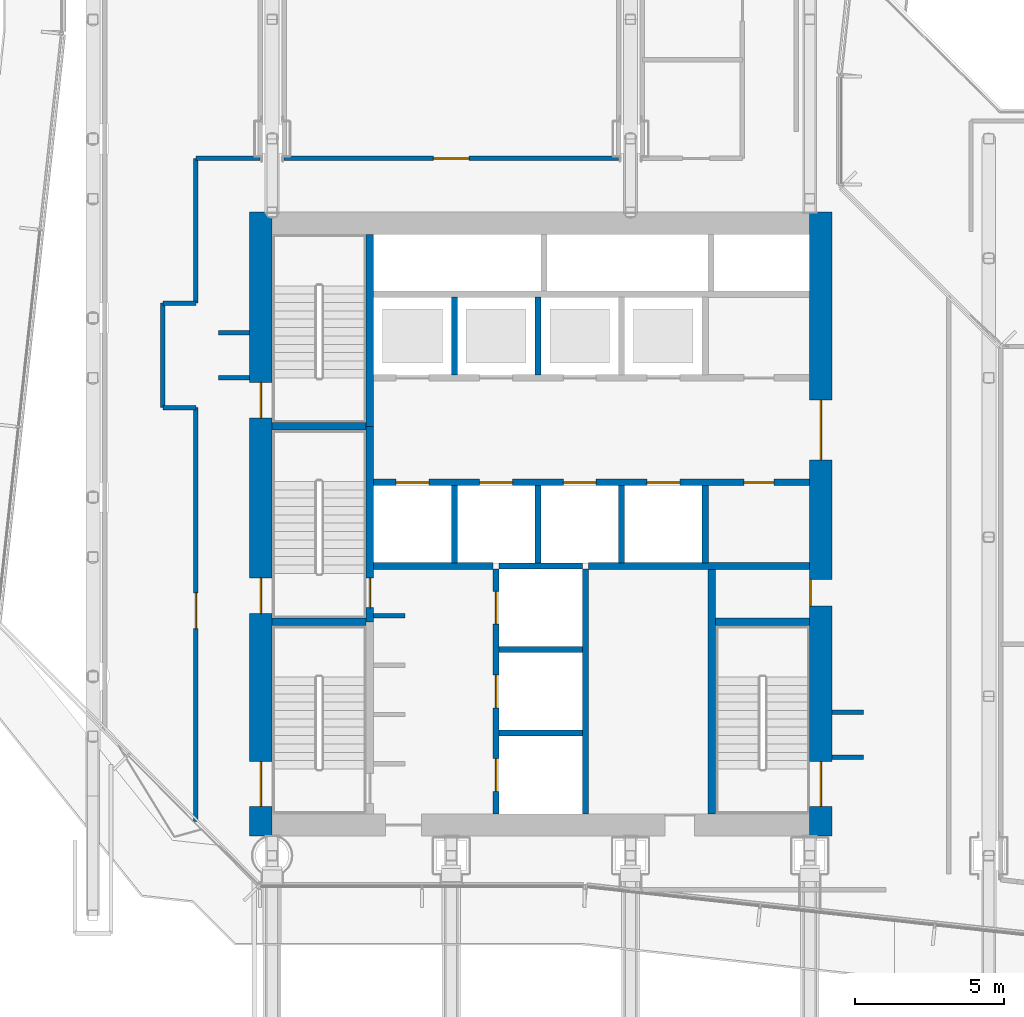
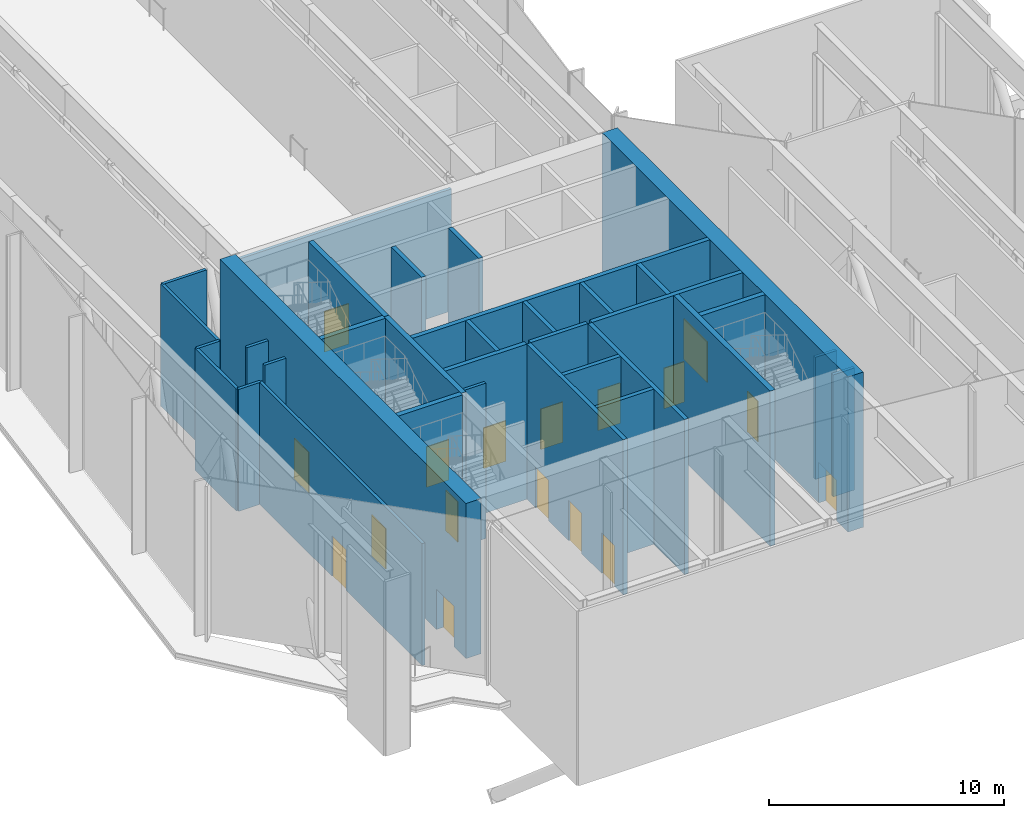
# One storey, part 13 of 24: 34 walls, 17 doors, 17 openings.
"""IFC4 building model written with IfcOpenShell, lengths in metres."""

from ifc_helpers import new_model, si_unit, direction, frame, frame_2d, origin, place, context, subcontext, project, spatial, rectangle, extrude, material, layer, layer_set, type_object, element, fill, save


model = new_model("IFC4")

# Units and contexts
model_context = context("Model", 3, precision=1e-05, world=origin(), true_north=direction((0.0, 1.0)))
body_context = subcontext(model_context, "Body", "Model", "MODEL_VIEW")
ifc_project = project(units=[si_unit("LENGTHUNIT", "METRE"), si_unit("AREAUNIT", "SQUARE_METRE"), si_unit("VOLUMEUNIT", "CUBIC_METRE"), si_unit("PLANEANGLEUNIT", "RADIAN"), si_unit("MASSUNIT", "GRAM", prefix="KILO")], contexts=[model_context])

# Site, building, storey
site_placement = place(None, origin())
site = spatial("IfcSite", under=ifc_project, at=site_placement, CompositionType="ELEMENT")
building_placement = place(site_placement, origin())
building = spatial("IfcBuilding", under=site, at=building_placement, Name="Welwitschia Terrace Campus", CompositionType="ELEMENT")
storey_placement = place(building_placement, frame((0.0, 0.0, 138.199951171875)))
storey = spatial("IfcBuildingStorey", under=building, at=storey_placement, Name="L31", CompositionType="ELEMENT", Elevation=138.199951171875)

# Walls
ifc_material_1 = material(Name="Concrete C32/40", Category="concrete")
ifc_layer_1 = layer(ifc_material_1, 0.22509765625)
ifc_layer_set_1 = layer_set([ifc_layer_1], Name="Concrete C32/40")
wall_type_1 = type_object("IfcWallType", Name="Core partition 225 Concrete C32/40", PredefinedType="PARTITIONING", material=ifc_layer_set_1)
wall_1_placement = place(storey_placement, frame((9.39990234375, 13.699951171875, 0.0), z_axis=(0.0, 0.0, 1.0), x_axis=(1.0, 0.0, 0.0)))
element("IfcWall", 1, at=wall_1_placement, inside=storey, type_object=wall_type_1, Name="Shaft wall", PredefinedType="PARTITIONING", context=body_context, shape_type="SweptSolid", body=[
    extrude(rectangle(XDim=4.0, YDim=0.22509765625, at=frame_2d((2.0, 0.0))), origin(), (0.0, 0.0, 1.0), 8.050048828125),
])
wall_2_placement = place(storey_placement, frame((16.60009765625, 13.699951171875, 0.0), z_axis=(0.0, 0.0, 1.0), x_axis=(1.0, 0.0, 0.0)))
element("IfcWall", 2, at=wall_2_placement, inside=storey, type_object=wall_type_1, Name="Shaft wall", PredefinedType="PARTITIONING", context=body_context, shape_type="SweptSolid", body=[
    extrude(rectangle(XDim=7.39990234375, YDim=0.22509765625, at=frame_2d((3.699951171875, 0.0))), origin(), (0.0, 0.0, 1.0), 8.050048828125),
])

# Wall, openings, doors
wall_3_placement = place(storey_placement, frame((9.39990234375, 16.5, 0.0), z_axis=(0.0, 0.0, 1.0), x_axis=(1.0, 0.0, 0.0)))
wall_3 = element("IfcWall", 3, at=wall_3_placement, inside=storey, type_object=wall_type_1, Name="Shaft wall", PredefinedType="PARTITIONING", context=body_context, shape_type="SweptSolid", body=[
    extrude(rectangle(XDim=14.60009765625, YDim=0.22509765625, at=frame_2d((7.300048828125, 0.0))), origin(), (0.0, 0.0, 1.0), 8.050048828125),
])
opening_1_placement = place(wall_3_placement, frame((0.75, 0.0, 0.0)))
opening_1 = element("IfcOpeningElement", 4, at=opening_1_placement, cuts=wall_3, Name="Opening LD", PredefinedType="OPENING", context=body_context, shape_type="SweptSolid", body=[
    extrude(rectangle(XDim=1.10009765625, YDim=2.10009765625, at=frame_2d((0.550048828125, 1.050048828125))), frame((0.0, 0.12255859375, 0.0), z_axis=(0.0, -1.0, 0.0), x_axis=(1.0, 0.0, 0.0)), (0.0, 0.0, 1.0), 0.2451171875),
])
opening_2_placement = place(wall_3_placement, frame((3.550048828125, 0.0, 0.0)))
opening_2 = element("IfcOpeningElement", 5, at=opening_2_placement, cuts=wall_3, Name="Opening LD", PredefinedType="OPENING", context=body_context, shape_type="SweptSolid", body=[
    extrude(rectangle(XDim=1.10009765625, YDim=2.10009765625, at=frame_2d((0.550048828125, 1.050048828125))), frame((0.0, 0.12255859375, 0.0), z_axis=(0.0, -1.0, 0.0), x_axis=(1.0, 0.0, 0.0)), (0.0, 0.0, 1.0), 0.2451171875),
])
opening_3_placement = place(wall_3_placement, frame((6.35009765625, 0.0, 0.0)))
opening_3 = element("IfcOpeningElement", 6, at=opening_3_placement, cuts=wall_3, Name="Opening LD", PredefinedType="OPENING", context=body_context, shape_type="SweptSolid", body=[
    extrude(rectangle(XDim=1.10009765625, YDim=2.10009765625, at=frame_2d((0.550048828125, 1.050048828125))), frame((0.0, 0.12255859375, 0.0), z_axis=(0.0, -1.0, 0.0), x_axis=(1.0, 0.0, 0.0)), (0.0, 0.0, 1.0), 0.2451171875),
])
opening_4_placement = place(wall_3_placement, frame((9.14990234375, 0.0, 0.0)))
opening_4 = element("IfcOpeningElement", 7, at=opening_4_placement, cuts=wall_3, Name="Opening LD", PredefinedType="OPENING", context=body_context, shape_type="SweptSolid", body=[
    extrude(rectangle(XDim=1.10009765625, YDim=2.10009765625, at=frame_2d((0.550048828125, 1.050048828125))), frame((0.0, 0.12255859375, 0.0), z_axis=(0.0, -1.0, 0.0), x_axis=(1.0, 0.0, 0.0)), (0.0, 0.0, 1.0), 0.2451171875),
])
opening_5_placement = place(wall_3_placement, frame((12.39990234375, 0.0, 0.0)))
opening_5 = element("IfcOpeningElement", 8, at=opening_5_placement, cuts=wall_3, Name="Opening DR10", PredefinedType="OPENING", context=body_context, shape_type="SweptSolid", body=[
    extrude(rectangle(XDim=1.0, YDim=2.10009765625, at=frame_2d((0.5, 1.050048828125))), frame((0.0, 0.12255859375, 0.0), z_axis=(0.0, -1.0, 0.0), x_axis=(1.0, 0.0, 0.0)), (0.0, 0.0, 1.0), 0.2451171875),
])
ifc_material_2 = material(Name="Steel S275", Category="steel")
door_type_1 = type_object("IfcDoorType", Name="Core door DR10", OperationType="SINGLE_SWING_LEFT", PredefinedType="DOOR", material=ifc_material_2)
door_1_placement = place(opening_5_placement, origin())
door_1 = element("IfcDoor", 9, at=door_1_placement, inside=storey, type_object=door_type_1, Name="Door EL-D", OperationType="SINGLE_SWING_RIGHT", OverallHeight=2.10009765625, OverallWidth=1.0, PredefinedType="DOOR", context=body_context, shape_type="SweptSolid", body=[
    extrude(rectangle(XDim=1.0, YDim=2.10009765625, at=frame_2d((0.5, 1.050048828125))), frame((0.0, 0.02490234375, 0.0), z_axis=(0.0, -1.0, 0.0), x_axis=(1.0, 0.0, 0.0)), (0.0, 0.0, 1.0), 0.050048828125),
])
fill(opening_5, door_1)
ifc_material_3 = material(Name="Stainless steel 304", Category="steel")
door_type_2 = type_object("IfcDoorType", Name="Lift landing door", OperationType="DOUBLE_DOOR_SLIDING", PredefinedType="DOOR", material=ifc_material_3)
door_2_placement = place(opening_1_placement, origin())
door_2 = element("IfcDoor", 10, at=door_2_placement, inside=storey, type_object=door_type_2, Name="Landing door LR1", OperationType="DOUBLE_DOOR_SLIDING", OverallHeight=2.10009765625, OverallWidth=1.10009765625, PredefinedType="DOOR", context=body_context, shape_type="SweptSolid", body=[
    extrude(rectangle(XDim=1.10009765625, YDim=2.10009765625, at=frame_2d((0.550048828125, 1.050048828125))), frame((0.0, 0.02490234375, 0.0), z_axis=(0.0, -1.0, 0.0), x_axis=(1.0, 0.0, 0.0)), (0.0, 0.0, 1.0), 0.050048828125),
])
fill(opening_1, door_2)
door_3_placement = place(opening_2_placement, origin())
door_3 = element("IfcDoor", 11, at=door_3_placement, inside=storey, type_object=door_type_2, Name="Landing door LR2", OperationType="DOUBLE_DOOR_SLIDING", OverallHeight=2.10009765625, OverallWidth=1.10009765625, PredefinedType="DOOR", context=body_context, shape_type="SweptSolid", body=[
    extrude(rectangle(XDim=1.10009765625, YDim=2.10009765625, at=frame_2d((0.550048828125, 1.050048828125))), frame((0.0, 0.02490234375, 0.0), z_axis=(0.0, -1.0, 0.0), x_axis=(1.0, 0.0, 0.0)), (0.0, 0.0, 1.0), 0.050048828125),
])
fill(opening_2, door_3)
door_4_placement = place(opening_3_placement, origin())
door_4 = element("IfcDoor", 12, at=door_4_placement, inside=storey, type_object=door_type_2, Name="Landing door LR3", OperationType="DOUBLE_DOOR_SLIDING", OverallHeight=2.10009765625, OverallWidth=1.10009765625, PredefinedType="DOOR", context=body_context, shape_type="SweptSolid", body=[
    extrude(rectangle(XDim=1.10009765625, YDim=2.10009765625, at=frame_2d((0.550048828125, 1.050048828125))), frame((0.0, 0.02490234375, 0.0), z_axis=(0.0, -1.0, 0.0), x_axis=(1.0, 0.0, 0.0)), (0.0, 0.0, 1.0), 0.050048828125),
])
fill(opening_3, door_4)
door_5_placement = place(opening_4_placement, origin())
door_5 = element("IfcDoor", 13, at=door_5_placement, inside=storey, type_object=door_type_2, Name="Landing door LR4", OperationType="DOUBLE_DOOR_SLIDING", OverallHeight=2.10009765625, OverallWidth=1.10009765625, PredefinedType="DOOR", context=body_context, shape_type="SweptSolid", body=[
    extrude(rectangle(XDim=1.10009765625, YDim=2.10009765625, at=frame_2d((0.550048828125, 1.050048828125))), frame((0.0, 0.02490234375, 0.0), z_axis=(0.0, -1.0, 0.0), x_axis=(1.0, 0.0, 0.0)), (0.0, 0.0, 1.0), 0.050048828125),
])
fill(opening_4, door_5)

# Walls
wall_4_placement = place(storey_placement, frame((20.5, 13.800048828125, 0.0), z_axis=(0.0, 0.0, 1.0), x_axis=(0.0, 1.0, 0.0)))
element("IfcWall", 14, at=wall_4_placement, inside=storey, type_object=wall_type_1, Name="Shaft wall", PredefinedType="PARTITIONING", context=body_context, shape_type="SweptSolid", body=[
    extrude(rectangle(XDim=2.599853515625, YDim=0.22509765625, at=frame_2d((1.2998046875, 0.0))), origin(), (0.0, 0.0, 1.0), 8.050048828125),
])
ifc_material_4 = material(Name="Concrete C50/60", Category="concrete")
ifc_layer_2 = layer(ifc_material_4, 0.14990234375)
ifc_layer_set_2 = layer_set([ifc_layer_2], Name="Concrete C50/60")
wall_type_2 = type_object("IfcWallType", Name="Core wall 150 Concrete C50/60", PredefinedType="SHEAR", material=ifc_layer_set_2)
wall_5_placement = place(storey_placement, frame((9.39990234375, 12.02490234375, 0.0), z_axis=(0.0, 0.0, 1.0), x_axis=(1.0, 0.0, 0.0)))
element("IfcWall", 15, at=wall_5_placement, inside=storey, type_object=wall_type_2, Name="Core wall", PredefinedType="SHEAR", context=body_context, shape_type="SweptSolid", body=[
    extrude(rectangle(XDim=1.050048828125, YDim=0.14990234375, at=frame_2d((0.52490234375, 0.0))), origin(), (0.0, 0.0, 1.0), 8.050048828125),
])
ifc_material_5 = material(Name="Concrete C50/60", Category="concrete")
ifc_layer_3 = layer(ifc_material_5, 0.199951171875)
ifc_layer_set_3 = layer_set([ifc_layer_3], Name="Concrete C50/60")
wall_type_3 = type_object("IfcWallType", Name="Core wall 200 Concrete C50/60", PredefinedType="SHEAR", material=ifc_layer_set_3)
for number, where, z_axis, x_axis, name in (
    (16, (13.60009765625, 8.10009765625, 0.0), (0.0, 0.0, 1.0), (1.0, 0.0, 0.0), "Core wall"),
    (17, (13.60009765625, 10.89990234375, 0.0), (0.0, 0.0, 1.0), (1.0, 0.0, 0.0), "Core wall"),
    (18, (13.60009765625, 13.699951171875, 0.0), (0.0, 0.0, 1.0), (1.0, 0.0, 0.0), "Core wall"),
):
    element("IfcWall", number, at=place(storey_placement, frame(where, z_axis=z_axis, x_axis=x_axis)), inside=storey, type_object=wall_type_3, Name=name, PredefinedType="SHEAR", context=body_context, shape_type="SweptSolid", body=[
        extrude(rectangle(XDim=2.7998046875, YDim=0.199951171875, at=frame_2d((1.39990234375, 0.0))), origin(), (0.0, 0.0, 1.0), 8.050048828125),
    ])

# Wall, openings, doors
wall_6_placement = place(storey_placement, frame((13.5, 5.39990234375, 0.0), z_axis=(0.0, 0.0, 1.0), x_axis=(0.0, 1.0, 0.0)))
wall_6 = element("IfcWall", 19, at=wall_6_placement, inside=storey, type_object=wall_type_3, Name="Core wall", PredefinedType="SHEAR", context=body_context, shape_type="SweptSolid", body=[
    extrude(rectangle(XDim=8.2001953125, YDim=0.199951171875, at=frame_2d((4.10009765625, 0.0))), origin(), (0.0, 0.0, 1.0), 8.050048828125),
])
opening_6_placement = place(wall_6_placement, frame((0.75, 0.0, 0.0)))
opening_6 = element("IfcOpeningElement", 20, at=opening_6_placement, cuts=wall_6, Name="Opening LD", PredefinedType="OPENING", context=body_context, shape_type="SweptSolid", body=[
    extrude(rectangle(XDim=1.10009765625, YDim=2.10009765625, at=frame_2d((0.550048828125, 1.050048828125))), frame((0.0, 0.10986328125, 0.0), z_axis=(0.0, -1.0, 0.0), x_axis=(1.0, 0.0, 0.0)), (0.0, 0.0, 1.0), 0.219970703125),
])
opening_7_placement = place(wall_6_placement, frame((3.550048828125, 0.0, 0.0)))
opening_7 = element("IfcOpeningElement", 21, at=opening_7_placement, cuts=wall_6, Name="Opening LD", PredefinedType="OPENING", context=body_context, shape_type="SweptSolid", body=[
    extrude(rectangle(XDim=1.10009765625, YDim=2.10009765625, at=frame_2d((0.550048828125, 1.050048828125))), frame((0.0, 0.10986328125, 0.0), z_axis=(0.0, -1.0, 0.0), x_axis=(1.0, 0.0, 0.0)), (0.0, 0.0, 1.0), 0.219970703125),
])
opening_8_placement = place(wall_6_placement, frame((6.35009765625, 0.0, 0.0)))
opening_8 = element("IfcOpeningElement", 22, at=opening_8_placement, cuts=wall_6, Name="Opening LD", PredefinedType="OPENING", context=body_context, shape_type="SweptSolid", body=[
    extrude(rectangle(XDim=1.10009765625, YDim=2.10009765625, at=frame_2d((0.550048828125, 1.050048828125))), frame((0.0, 0.10986328125, 0.0), z_axis=(0.0, -1.0, 0.0), x_axis=(1.0, 0.0, 0.0)), (0.0, 0.0, 1.0), 0.219970703125),
])
door_6_placement = place(opening_6_placement, origin())
door_6 = element("IfcDoor", 23, at=door_6_placement, inside=storey, type_object=door_type_2, Name="Landing door FF1", OperationType="DOUBLE_DOOR_SLIDING", OverallHeight=2.10009765625, OverallWidth=1.10009765625, PredefinedType="DOOR", context=body_context, shape_type="SweptSolid", body=[
    extrude(rectangle(XDim=1.10009765625, YDim=2.10009765625, at=frame_2d((0.550048828125, 1.050048828125))), frame((0.0, 0.02490234375, 0.0), z_axis=(0.0, -1.0, 0.0), x_axis=(1.0, 0.0, 0.0)), (0.0, 0.0, 1.0), 0.050048828125),
])
fill(opening_6, door_6)
door_7_placement = place(opening_7_placement, origin())
door_7 = element("IfcDoor", 24, at=door_7_placement, inside=storey, type_object=door_type_2, Name="Landing door FF2", OperationType="DOUBLE_DOOR_SLIDING", OverallHeight=2.10009765625, OverallWidth=1.10009765625, PredefinedType="DOOR", context=body_context, shape_type="SweptSolid", body=[
    extrude(rectangle(XDim=1.10009765625, YDim=2.10009765625, at=frame_2d((0.550048828125, 1.050048828125))), frame((0.0, 0.02490234375, 0.0), z_axis=(0.0, -1.0, 0.0), x_axis=(1.0, 0.0, 0.0)), (0.0, 0.0, 1.0), 0.050048828125),
])
fill(opening_7, door_7)
door_8_placement = place(opening_8_placement, origin())
door_8 = element("IfcDoor", 25, at=door_8_placement, inside=storey, type_object=door_type_2, Name="Landing door SV1", OperationType="DOUBLE_DOOR_SLIDING", OverallHeight=2.10009765625, OverallWidth=1.10009765625, PredefinedType="DOOR", context=body_context, shape_type="SweptSolid", body=[
    extrude(rectangle(XDim=1.10009765625, YDim=2.10009765625, at=frame_2d((0.550048828125, 1.050048828125))), frame((0.0, 0.02490234375, 0.0), z_axis=(0.0, -1.0, 0.0), x_axis=(1.0, 0.0, 0.0)), (0.0, 0.0, 1.0), 0.050048828125),
])
fill(opening_8, door_8)

# Walls
wall_7_placement = place(storey_placement, frame((16.5, 5.39990234375, 0.0), z_axis=(0.0, 0.0, 1.0), x_axis=(0.0, 1.0, 0.0)))
element("IfcWall", 26, at=wall_7_placement, inside=storey, type_object=wall_type_3, Name="Core wall", PredefinedType="SHEAR", context=body_context, shape_type="SweptSolid", body=[
    extrude(rectangle(XDim=8.2001953125, YDim=0.199951171875, at=frame_2d((4.10009765625, 0.0))), origin(), (0.0, 0.0, 1.0), 8.050048828125),
])
ifc_material_6 = material(Name="Concrete C50/60", Category="concrete")
ifc_layer_4 = layer(ifc_material_6, 0.25)
ifc_layer_set_4 = layer_set([ifc_layer_4], Name="Concrete C50/60")
wall_type_4 = type_object("IfcWallType", Name="Core wall 250 Concrete C50/60", PredefinedType="SHEAR", material=ifc_layer_set_4)
for number, where, z_axis, x_axis, name in (
    (27, (6.0, 11.824951171875, 0.0), (0.0, 0.0, 1.0), (1.0, 0.0, 0.0), "Core wall"),
    (28, (20.85009765625, 11.824951171875, 0.0), (0.0, 0.0, 1.0), (1.0, 0.0, 0.0), "Core wall"),
    (29, (6.0, 18.375, 0.0), (0.0, 0.0, 1.0), (1.0, 0.0, 0.0), "Core wall"),
):
    element("IfcWall", number, at=place(storey_placement, frame(where, z_axis=z_axis, x_axis=x_axis)), inside=storey, type_object=wall_type_4, Name=name, PredefinedType="SHEAR", context=body_context, shape_type="SweptSolid", body=[
        extrude(rectangle(XDim=3.14990234375, YDim=0.25, at=frame_2d((1.574951171875, 0.0))), origin(), (0.0, 0.0, 1.0), 8.050048828125),
    ])

# Wall, opening, door
wall_8_placement = place(storey_placement, frame((9.27490234375, 18.375, 0.0), z_axis=(0.0, 0.0, 1.0), x_axis=(0.0, -1.0, 0.0)))
wall_8 = element("IfcWall", 30, at=wall_8_placement, inside=storey, type_object=wall_type_4, Name="Core wall", PredefinedType="SHEAR", context=body_context, shape_type="SweptSolid", body=[
    extrude(rectangle(XDim=6.550048828125, YDim=0.25, at=frame_2d((3.27490234375, 0.0))), origin(), (0.0, 0.0, 1.0), 8.050048828125),
])
opening_9_placement = place(wall_8_placement, frame((5.074951171875, 0.0, 0.0)))
opening_9 = element("IfcOpeningElement", 31, at=opening_9_placement, cuts=wall_8, Name="Opening DS10", PredefinedType="OPENING", context=body_context, shape_type="SweptSolid", body=[
    extrude(rectangle(XDim=1.0, YDim=2.10009765625, at=frame_2d((0.5, 1.050048828125))), frame((0.0, 0.135009765625, 0.0), z_axis=(0.0, -1.0, 0.0), x_axis=(1.0, 0.0, 0.0)), (0.0, 0.0, 1.0), 0.27001953125),
])
ifc_material_7 = material(Name="Steel S275", Category="steel")
door_type_3 = type_object("IfcDoorType", Name="Core door DS10", OperationType="SINGLE_SWING_LEFT", PredefinedType="DOOR", material=ifc_material_7)
door_9_placement = place(opening_9_placement, origin())
door_9 = element("IfcDoor", 32, at=door_9_placement, inside=storey, type_object=door_type_3, Name="Door S3-FL", OperationType="SINGLE_SWING_RIGHT", OverallHeight=2.10009765625, OverallWidth=1.0, PredefinedType="DOOR", context=body_context, shape_type="SweptSolid", body=[
    extrude(rectangle(XDim=1.0, YDim=2.10009765625, at=frame_2d((0.5, 1.050048828125))), frame((0.0, 0.02490234375, 0.0), z_axis=(0.0, -1.0, 0.0), x_axis=(1.0, 0.0, 0.0)), (0.0, 0.0, 1.0), 0.050048828125),
])
fill(opening_9, door_9)

# Walls
wall_9_placement = place(storey_placement, frame((9.27490234375, 18.375, 0.0), z_axis=(0.0, 0.0, 1.0), x_axis=(0.0, 1.0, 0.0)))
element("IfcWall", 33, at=wall_9_placement, inside=storey, type_object=wall_type_4, Name="Core wall", PredefinedType="SHEAR", context=body_context, shape_type="SweptSolid", body=[
    extrude(rectangle(XDim=6.425048828125, YDim=0.25, at=frame_2d((3.21240234375, 0.0))), origin(), (0.0, 0.0, 1.0), 8.050048828125),
])
wall_10_placement = place(storey_placement, frame((20.72509765625, 5.39990234375, 0.0), z_axis=(0.0, 0.0, 1.0), x_axis=(0.0, 1.0, 0.0)))
element("IfcWall", 34, at=wall_10_placement, inside=storey, type_object=wall_type_4, Name="Core wall", PredefinedType="SHEAR", context=body_context, shape_type="SweptSolid", body=[
    extrude(rectangle(XDim=8.2001953125, YDim=0.25, at=frame_2d((4.10009765625, 0.0))), origin(), (0.0, 0.0, 1.0), 8.050048828125),
])

# Wall, openings, doors
ifc_material_8 = material(Name="Concrete C70/85", Category="concrete")
ifc_layer_5 = layer(ifc_material_8, 0.75)
ifc_layer_set_5 = layer_set([ifc_layer_5], Name="Concrete C70/85")
wall_type_5 = type_object("IfcWallType", Name="Core wall 750 Concrete C70/85", PredefinedType="SHEAR", material=ifc_layer_set_5)
wall_11_placement = place(storey_placement, frame((5.625, 4.64990234375, 0.0), z_axis=(0.0, 0.0, 1.0), x_axis=(0.0, 1.0, 0.0)))
wall_11 = element("IfcWall", 35, at=wall_11_placement, inside=storey, type_object=wall_type_5, Name="Core outer wall", PredefinedType="SHEAR", context=body_context, shape_type="SweptSolid", body=[
    extrude(rectangle(XDim=20.900146484375, YDim=0.75, at=frame_2d((10.4501953125, 0.0))), origin(), (0.0, 0.0, 1.0), 8.050048828125),
])
opening_10_placement = place(wall_11_placement, frame((1.0, 0.0, 0.0)))
opening_10 = element("IfcOpeningElement", 36, at=opening_10_placement, cuts=wall_11, Name="Opening DS15", PredefinedType="OPENING", context=body_context, shape_type="SweptSolid", body=[
    extrude(rectangle(XDim=1.5, YDim=2.10009765625, at=frame_2d((0.75, 1.050048828125))), frame((0.0, 0.385009765625, 0.0), z_axis=(0.0, -1.0, 0.0), x_axis=(1.0, 0.0, 0.0)), (0.0, 0.0, 1.0), 0.77001953125),
])
opening_11_placement = place(wall_11_placement, frame((7.449951171875, 0.0, 0.0)))
opening_11 = element("IfcOpeningElement", 37, at=opening_11_placement, cuts=wall_11, Name="Opening DS12", PredefinedType="OPENING", context=body_context, shape_type="SweptSolid", body=[
    extrude(rectangle(XDim=1.199951171875, YDim=2.10009765625, at=frame_2d((0.60009765625, 1.050048828125))), frame((0.0, 0.385009765625, 0.0), z_axis=(0.0, -1.0, 0.0), x_axis=(1.0, 0.0, 0.0)), (0.0, 0.0, 1.0), 0.77001953125),
])
opening_12_placement = place(wall_11_placement, frame((14.0, 0.0, 0.0)))
opening_12 = element("IfcOpeningElement", 38, at=opening_12_placement, cuts=wall_11, Name="Opening DS12", PredefinedType="OPENING", context=body_context, shape_type="SweptSolid", body=[
    extrude(rectangle(XDim=1.199951171875, YDim=2.10009765625, at=frame_2d((0.60009765625, 1.050048828125))), frame((0.0, 0.385009765625, 0.0), z_axis=(0.0, -1.0, 0.0), x_axis=(1.0, 0.0, 0.0)), (0.0, 0.0, 1.0), 0.77001953125),
])
ifc_material_9 = material(Name="Steel S275", Category="steel")
door_type_4 = type_object("IfcDoorType", Name="Core door DS12", OperationType="SINGLE_SWING_LEFT", PredefinedType="DOOR", material=ifc_material_9)
door_10_placement = place(opening_11_placement, origin())
door_10 = element("IfcDoor", 39, at=door_10_placement, inside=storey, type_object=door_type_4, Name="Door S3-out", OperationType="SINGLE_SWING_LEFT", OverallHeight=2.10009765625, OverallWidth=1.199951171875, PredefinedType="DOOR", context=body_context, shape_type="SweptSolid", body=[
    extrude(rectangle(XDim=1.199951171875, YDim=2.10009765625, at=frame_2d((0.60009765625, 1.050048828125))), frame((0.0, 0.02490234375, 0.0), z_axis=(0.0, -1.0, 0.0), x_axis=(1.0, 0.0, 0.0)), (0.0, 0.0, 1.0), 0.050048828125),
])
fill(opening_11, door_10)
door_11_placement = place(opening_12_placement, origin())
door_11 = element("IfcDoor", 40, at=door_11_placement, inside=storey, type_object=door_type_4, Name="Door S4-out", OperationType="SINGLE_SWING_RIGHT", OverallHeight=2.10009765625, OverallWidth=1.199951171875, PredefinedType="DOOR", context=body_context, shape_type="SweptSolid", body=[
    extrude(rectangle(XDim=1.199951171875, YDim=2.10009765625, at=frame_2d((0.60009765625, 1.050048828125))), frame((0.0, 0.02490234375, 0.0), z_axis=(0.0, -1.0, 0.0), x_axis=(1.0, 0.0, 0.0)), (0.0, 0.0, 1.0), 0.050048828125),
])
fill(opening_12, door_11)
ifc_material_10 = material(Name="Steel S275", Category="steel")
door_type_5 = type_object("IfcDoorType", Name="Core door DS15", OperationType="DOUBLE_DOOR_SINGLE_SWING", PredefinedType="DOOR", material=ifc_material_10)
door_12_placement = place(opening_10_placement, origin())
door_12 = element("IfcDoor", 41, at=door_12_placement, inside=storey, type_object=door_type_5, Name="Door S1-out", OperationType="DOUBLE_DOOR_SINGLE_SWING", OverallHeight=2.10009765625, OverallWidth=1.5, PredefinedType="DOOR", context=body_context, shape_type="SweptSolid", body=[
    extrude(rectangle(XDim=1.5, YDim=2.10009765625, at=frame_2d((0.75, 1.050048828125))), frame((0.0, 0.02490234375, 0.0), z_axis=(0.0, -1.0, 0.0), x_axis=(1.0, 0.0, 0.0)), (0.0, 0.0, 1.0), 0.050048828125),
])
fill(opening_10, door_12)

wall_12_placement = place(storey_placement, frame((24.375, 25.550048828125, 0.0), z_axis=(0.0, 0.0, 1.0), x_axis=(0.0, -1.0, 0.0)))
wall_12 = element("IfcWall", 42, at=wall_12_placement, inside=storey, type_object=wall_type_5, Name="Core outer wall", PredefinedType="SHEAR", context=body_context, shape_type="SweptSolid", body=[
    extrude(rectangle(XDim=20.900146484375, YDim=0.75, at=frame_2d((10.4501953125, 0.0))), origin(), (0.0, 0.0, 1.0), 8.050048828125),
])
opening_13_placement = place(wall_12_placement, frame((18.39990234375, 0.0, 0.0)))
opening_13 = element("IfcOpeningElement", 43, at=opening_13_placement, cuts=wall_12, Name="Opening DS15", PredefinedType="OPENING", context=body_context, shape_type="SweptSolid", body=[
    extrude(rectangle(XDim=1.5, YDim=2.10009765625, at=frame_2d((0.75, 1.050048828125))), frame((0.0, 0.385009765625, 0.0), z_axis=(0.0, -1.0, 0.0), x_axis=(1.0, 0.0, 0.0)), (0.0, 0.0, 1.0), 0.77001953125),
])
opening_14_placement = place(wall_12_placement, frame((12.300048828125, 0.0, 0.0)))
opening_14 = element("IfcOpeningElement", 44, at=opening_14_placement, cuts=wall_12, Name="Opening DR09", PredefinedType="OPENING", context=body_context, shape_type="SweptSolid", body=[
    extrude(rectangle(XDim=0.89990234375, YDim=2.10009765625, at=frame_2d((0.449951171875, 1.050048828125))), frame((0.0, 0.385009765625, 0.0), z_axis=(0.0, -1.0, 0.0), x_axis=(1.0, 0.0, 0.0)), (0.0, 0.0, 1.0), 0.77001953125),
])
opening_15_placement = place(wall_12_placement, frame((6.300048828125, 0.0, 0.0)))
opening_15 = element("IfcOpeningElement", 45, at=opening_15_placement, cuts=wall_12, Name="Opening DL20", PredefinedType="OPENING", context=body_context, shape_type="SweptSolid", body=[
    extrude(rectangle(XDim=2.0, YDim=2.10009765625, at=frame_2d((1.0, 1.050048828125))), frame((0.0, 0.385009765625, 0.0), z_axis=(0.0, -1.0, 0.0), x_axis=(1.0, 0.0, 0.0)), (0.0, 0.0, 1.0), 0.77001953125),
])
ifc_material_11 = material(Name="Steel S275", Category="steel")
door_type_6 = type_object("IfcDoorType", Name="Core door DL20", OperationType="DOUBLE_DOOR_SINGLE_SWING", PredefinedType="DOOR", material=ifc_material_11)
door_13_placement = place(opening_15_placement, origin())
door_13 = element("IfcDoor", 46, at=door_13_placement, inside=storey, type_object=door_type_6, Name="Door LOBBY-out", OperationType="DOUBLE_DOOR_SINGLE_SWING", OverallHeight=2.10009765625, OverallWidth=2.0, PredefinedType="DOOR", context=body_context, shape_type="SweptSolid", body=[
    extrude(rectangle(XDim=2.0, YDim=2.10009765625, at=frame_2d((1.0, 1.050048828125))), frame((0.0, 0.02490234375, 0.0), z_axis=(0.0, -1.0, 0.0), x_axis=(1.0, 0.0, 0.0)), (0.0, 0.0, 1.0), 0.050048828125),
])
fill(opening_15, door_13)
ifc_material_12 = material(Name="Steel S275", Category="steel")
door_type_7 = type_object("IfcDoorType", Name="Core door DR09", OperationType="SINGLE_SWING_LEFT", PredefinedType="DOOR", material=ifc_material_12)
door_14_placement = place(opening_14_placement, origin())
door_14 = element("IfcDoor", 47, at=door_14_placement, inside=storey, type_object=door_type_7, Name="Door F1B-out", OperationType="SINGLE_SWING_RIGHT", OverallHeight=2.10009765625, OverallWidth=0.89990234375, PredefinedType="DOOR", context=body_context, shape_type="SweptSolid", body=[
    extrude(rectangle(XDim=0.89990234375, YDim=2.10009765625, at=frame_2d((0.449951171875, 1.050048828125))), frame((0.0, -0.31494140625, 0.0), z_axis=(0.0, -1.0, 0.0), x_axis=(1.0, 0.0, 0.0)), (0.0, 0.0, 1.0), 0.050048828125),
])
fill(opening_14, door_14)
door_15_placement = place(opening_13_placement, origin())
door_15 = element("IfcDoor", 48, at=door_15_placement, inside=storey, type_object=door_type_5, Name="Door S2-out", OperationType="DOUBLE_DOOR_SINGLE_SWING", OverallHeight=2.10009765625, OverallWidth=1.5, PredefinedType="DOOR", context=body_context, shape_type="SweptSolid", body=[
    extrude(rectangle(XDim=1.5, YDim=2.10009765625, at=frame_2d((0.75, 1.050048828125))), frame((0.0, 0.02490234375, 0.0), z_axis=(0.0, -1.0, 0.0), x_axis=(1.0, 0.0, 0.0)), (0.0, 0.0, 1.0), 0.050048828125),
])
fill(opening_13, door_15)

# Walls
ifc_material_13 = material(Name="Gypsum board on steel studs", Category="steel")
ifc_layer_6 = layer(ifc_material_13, 0.14990234375)
ifc_layer_set_6 = layer_set([ifc_layer_6], Name="Gypsum board on steel studs")
wall_type_6 = type_object("IfcWallType", Name="Corridor partition 150 EI 30", PredefinedType="PARTITIONING", material=ifc_layer_set_6)
wall_13_placement = place(storey_placement, frame((2.340087890625, 19.0, 0.0), z_axis=(0.0, 0.0, 1.0), x_axis=(0.0, 1.0, 0.0)))
element("IfcWall", 49, at=wall_13_placement, inside=storey, type_object=wall_type_6, Name="Partition", PredefinedType="PARTITIONING", context=body_context, shape_type="SweptSolid", body=[
    extrude(rectangle(XDim=3.5, YDim=0.14990234375, at=frame_2d((1.75, 0.0))), origin(), (0.0, 0.0, 1.0), 6.330078125),
])
for number, where, z_axis, x_axis, name in (
    (50, (2.340087890625, 19.0, 0.0), (0.0, 0.0, 1.0), (1.0, 0.0, 0.0), "Partition"),
    (51, (2.340087890625, 22.5, 0.0), (0.0, 0.0, 1.0), (1.0, 0.0, 0.0), "Partition"),
):
    element("IfcWall", number, at=place(storey_placement, frame(where, z_axis=z_axis, x_axis=x_axis)), inside=storey, type_object=wall_type_6, Name=name, PredefinedType="PARTITIONING", context=body_context, shape_type="SweptSolid", body=[
        extrude(rectangle(XDim=1.10986328125, YDim=0.14990234375, at=frame_2d((0.554931640625, 0.0))), origin(), (0.0, 0.0, 1.0), 6.330078125),
    ])

# Wall, opening, door
wall_14_placement = place(storey_placement, frame((3.449951171875, 5.139892578125, 0.0), z_axis=(0.0, 0.0, 1.0), x_axis=(0.0, 1.0, 0.0)))
wall_14 = element("IfcWall", 52, at=wall_14_placement, inside=storey, type_object=wall_type_6, Name="Partition", PredefinedType="PARTITIONING", context=body_context, shape_type="SweptSolid", body=[
    extrude(rectangle(XDim=13.860107421875, YDim=0.14990234375, at=frame_2d((6.93017578125, 0.0))), origin(), (0.0, 0.0, 1.0), 6.330078125),
])
opening_16_placement = place(wall_14_placement, frame((6.4599609375, 0.0, 0.0)))
opening_16 = element("IfcOpeningElement", 53, at=opening_16_placement, cuts=wall_14, Name="Opening DI12", PredefinedType="OPENING", context=body_context, shape_type="SweptSolid", body=[
    extrude(rectangle(XDim=1.199951171875, YDim=2.10009765625, at=frame_2d((0.60009765625, 1.050048828125))), frame((0.0, 0.0849609375, 0.0), z_axis=(0.0, -1.0, 0.0), x_axis=(1.0, 0.0, 0.0)), (0.0, 0.0, 1.0), 0.169921875),
])
ifc_material_14 = material(Name="Timber veneered door", Category="wood")
door_type_8 = type_object("IfcDoorType", Name="Interior door DI12", OperationType="NOTDEFINED", PredefinedType="DOOR", material=ifc_material_14)
door_16_placement = place(opening_16_placement, origin())
door_16 = element("IfcDoor", 54, at=door_16_placement, inside=storey, type_object=door_type_8, Name="Door L31 649", OperationType="SINGLE_SWING_RIGHT", OverallHeight=2.10009765625, OverallWidth=1.199951171875, PredefinedType="DOOR", context=body_context, shape_type="SweptSolid", body=[
    extrude(rectangle(XDim=1.199951171875, YDim=2.10009765625, at=frame_2d((0.60009765625, 1.050048828125))), frame((0.0, 0.02490234375, 0.0), z_axis=(0.0, -1.0, 0.0), x_axis=(1.0, 0.0, 0.0)), (0.0, 0.0, 1.0), 0.050048828125),
])
fill(opening_16, door_16)

# Walls
wall_15_placement = place(storey_placement, frame((3.449951171875, 22.5, 0.0), z_axis=(0.0, 0.0, 1.0), x_axis=(0.0, 1.0, 0.0)))
element("IfcWall", 55, at=wall_15_placement, inside=storey, type_object=wall_type_6, Name="Partition", PredefinedType="PARTITIONING", context=body_context, shape_type="SweptSolid", body=[
    extrude(rectangle(XDim=4.85009765625, YDim=0.14990234375, at=frame_2d((2.425048828125, 0.0))), origin(), (0.0, 0.0, 1.0), 6.330078125),
])
wall_16_placement = place(storey_placement, frame((3.449951171875, 27.35009765625, 0.0), z_axis=(0.0, 0.0, 1.0), x_axis=(1.0, 0.0, 0.0)))
element("IfcWall", 56, at=wall_16_placement, inside=storey, type_object=wall_type_6, Name="Partition", PredefinedType="PARTITIONING", context=body_context, shape_type="SweptSolid", body=[
    extrude(rectangle(XDim=2.150146484375, YDim=0.14990234375, at=frame_2d((1.0751953125, 0.0))), origin(), (0.0, 0.0, 1.0), 6.330078125),
])
for number, where, z_axis, x_axis, name in (
    (57, (4.199951171875, 20.0, 0.0), (0.0, 0.0, 1.0), (1.0, 0.0, 0.0), "Partition"),
    (58, (4.199951171875, 21.5, 0.0), (0.0, 0.0, 1.0), (1.0, 0.0, 0.0), "Partition"),
):
    element("IfcWall", number, at=place(storey_placement, frame(where, z_axis=z_axis, x_axis=x_axis)), inside=storey, type_object=wall_type_6, Name=name, PredefinedType="PARTITIONING", context=body_context, shape_type="SweptSolid", body=[
        extrude(rectangle(XDim=1.050048828125, YDim=0.14990234375, at=frame_2d((0.52490234375, 0.0))), origin(), (0.0, 0.0, 1.0), 6.330078125),
    ])

# Wall, opening, door
wall_17_placement = place(storey_placement, frame((6.39990234375, 27.35009765625, 0.0), z_axis=(0.0, 0.0, 1.0), x_axis=(1.0, 0.0, 0.0)))
wall_17 = element("IfcWall", 59, at=wall_17_placement, inside=storey, type_object=wall_type_6, Name="Partition", PredefinedType="PARTITIONING", context=body_context, shape_type="SweptSolid", body=[
    extrude(rectangle(XDim=11.2001953125, YDim=0.14990234375, at=frame_2d((5.60009765625, 0.0))), origin(), (0.0, 0.0, 1.0), 6.330078125),
])
opening_17_placement = place(wall_17_placement, frame((5.0, 0.0, 0.0)))
opening_17 = element("IfcOpeningElement", 60, at=opening_17_placement, cuts=wall_17, Name="Opening DI12", PredefinedType="OPENING", context=body_context, shape_type="SweptSolid", body=[
    extrude(rectangle(XDim=1.199951171875, YDim=2.10009765625, at=frame_2d((0.60009765625, 1.050048828125))), frame((0.0, 0.0849609375, 0.0), z_axis=(0.0, -1.0, 0.0), x_axis=(1.0, 0.0, 0.0)), (0.0, 0.0, 1.0), 0.169921875),
])
door_17_placement = place(opening_17_placement, origin())
door_17 = element("IfcDoor", 61, at=door_17_placement, inside=storey, type_object=door_type_8, Name="Door L31 650", OperationType="SINGLE_SWING_LEFT", OverallHeight=2.10009765625, OverallWidth=1.199951171875, PredefinedType="DOOR", context=body_context, shape_type="SweptSolid", body=[
    extrude(rectangle(XDim=1.199951171875, YDim=2.10009765625, at=frame_2d((0.60009765625, 1.050048828125))), frame((0.0, 0.02490234375, 0.0), z_axis=(0.0, -1.0, 0.0), x_axis=(1.0, 0.0, 0.0)), (0.0, 0.0, 1.0), 0.050048828125),
])
fill(opening_17, door_17)

# Walls
for number, where, z_axis, x_axis, name in (
    (62, (24.75, 7.300048828125, 0.0), (0.0, 0.0, 1.0), (1.0, 0.0, 0.0), "Partition"),
    (63, (24.75, 8.800048828125, 0.0), (0.0, 0.0, 1.0), (1.0, 0.0, 0.0), "Partition"),
):
    element("IfcWall", number, at=place(storey_placement, frame(where, z_axis=z_axis, x_axis=x_axis)), inside=storey, type_object=wall_type_6, Name=name, PredefinedType="PARTITIONING", context=body_context, shape_type="SweptSolid", body=[
        extrude(rectangle(XDim=1.050048828125, YDim=0.14990234375, at=frame_2d((0.52490234375, 0.0))), origin(), (0.0, 0.0, 1.0), 6.330078125),
    ])
ifc_material_15 = material(Name="Concrete C32/40", Category="concrete")
ifc_layer_7 = layer(ifc_material_15, 0.199951171875)
ifc_layer_set_7 = layer_set([ifc_layer_7], Name="Concrete C32/40")
wall_type_7 = type_object("IfcWallType", Name="Shaft wall 200 Concrete C32/40", PredefinedType="SOLIDWALL", material=ifc_layer_set_7)
for number, where, z_axis, x_axis, name in (
    (64, (12.10009765625, 13.800048828125, 0.0), (0.0, 0.0, 1.0), (0.0, 1.0, 0.0), "Shaft wall"),
    (65, (12.10009765625, 20.10009765625, 0.0), (0.0, 0.0, 1.0), (0.0, 1.0, 0.0), "Shaft wall"),
    (66, (14.89990234375, 13.800048828125, 0.0), (0.0, 0.0, 1.0), (0.0, 1.0, 0.0), "Shaft wall"),
    (67, (14.89990234375, 20.10009765625, 0.0), (0.0, 0.0, 1.0), (0.0, 1.0, 0.0), "Shaft wall"),
    (68, (17.699951171875, 13.800048828125, 0.0), (0.0, 0.0, 1.0), (0.0, 1.0, 0.0), "Shaft wall"),
):
    element("IfcWall", number, at=place(storey_placement, frame(where, z_axis=z_axis, x_axis=x_axis)), inside=storey, type_object=wall_type_7, Name=name, PredefinedType="SOLIDWALL", context=body_context, shape_type="SweptSolid", body=[
        extrude(rectangle(XDim=2.599853515625, YDim=0.199951171875, at=frame_2d((1.2998046875, 0.0))), origin(), (0.0, 0.0, 1.0), 8.050048828125),
    ])

save(model, "model.ifc")
